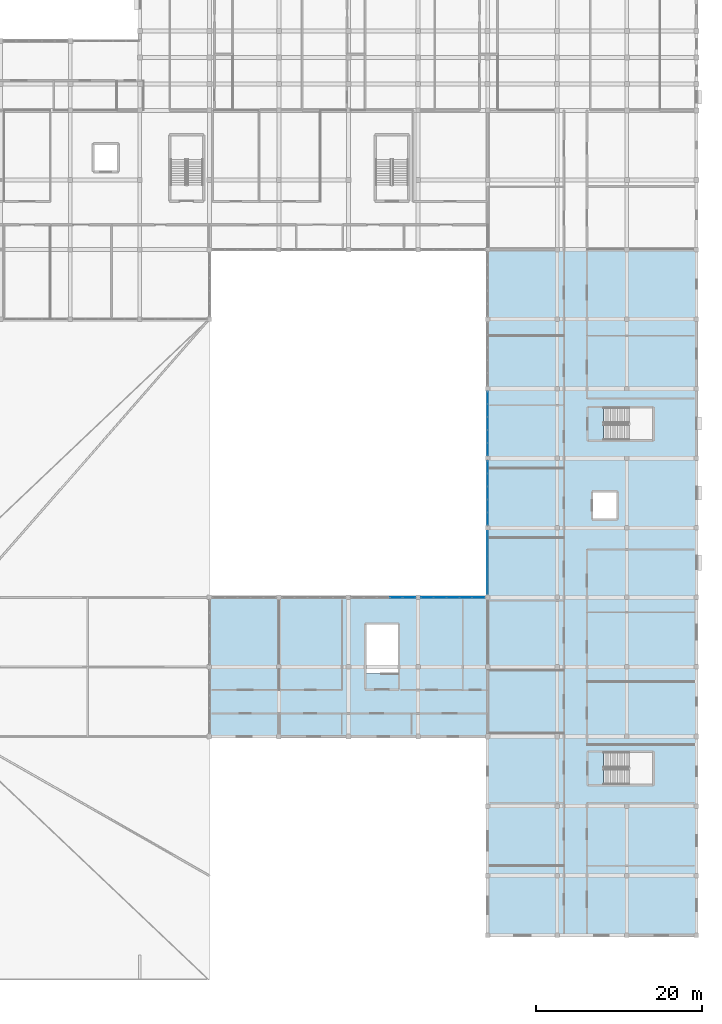
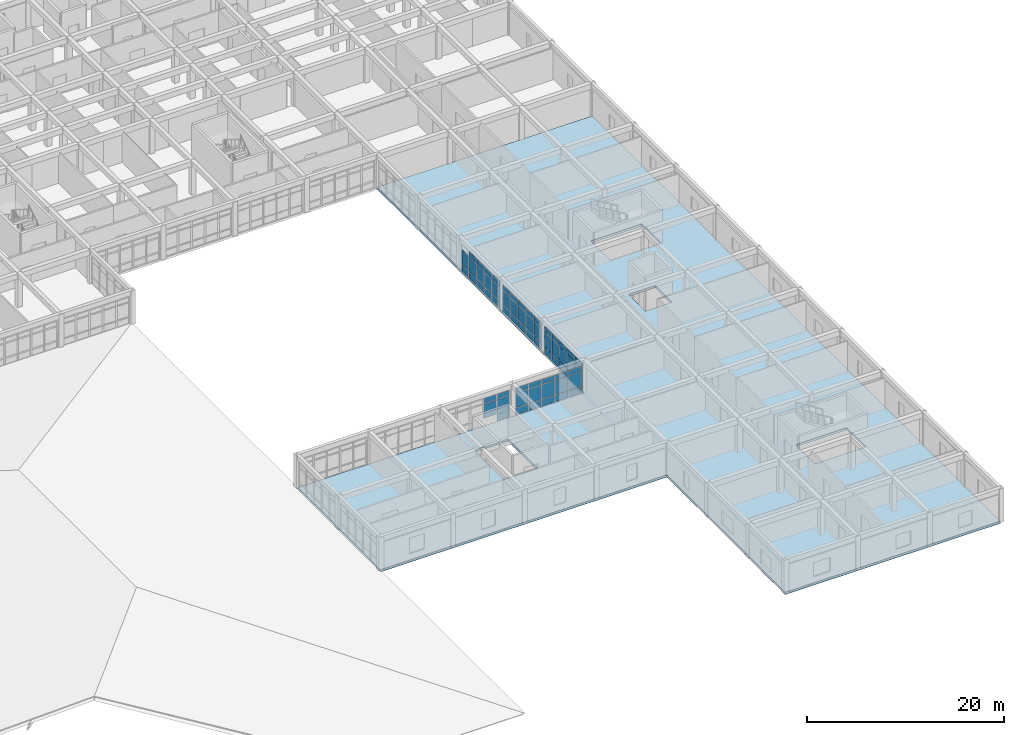
# One storey, part 40 of 77: 64 plates, 1 slab, 5 elements without a shape of their own.
"""IFC4 building model written with IfcOpenShell, lengths in metres."""

from ifc_helpers import new_model, si_unit, direction, frame, origin, origin_2d, place, context, subcontext, project, spatial, polyline, rectangle, outline, extrude, material, layer, layer_set, type_object, element, aggregate, save


model = new_model("IFC4")

# Units and contexts
model_context = context("Model", 3, precision=1e-05, world=origin(), true_north=direction((0.0, 1.0)))
body_context = subcontext(model_context, "Body", "Model", "MODEL_VIEW")
ifc_project = project(units=[si_unit("LENGTHUNIT", "METRE"), si_unit("AREAUNIT", "SQUARE_METRE"), si_unit("VOLUMEUNIT", "CUBIC_METRE"), si_unit("PLANEANGLEUNIT", "RADIAN"), si_unit("MASSUNIT", "GRAM", prefix="KILO")], contexts=[model_context])

# Site, building, storey
site_placement = place(None, origin())
site = spatial("IfcSite", under=ifc_project, at=site_placement, CompositionType="ELEMENT")
building_placement = place(site_placement, origin())
building = spatial("IfcBuilding", under=site, at=building_placement, Name="Varncliffe General Hospital", CompositionType="ELEMENT")
storey_placement = place(building_placement, frame((0.0, 0.0, 16.199951171875)))
storey = spatial("IfcBuildingStorey", under=building, at=storey_placement, Name="L03", CompositionType="ELEMENT", Elevation=16.199951171875)

# Curtain wall, plates
ifc_material_1 = material(Name="Triple low-E argon insulated vision glazing", Category="glass")
curtain_wall_type_1 = type_object("IfcCurtainWallType", Name="Unitised Glazed Curtain Wall CW23 (7774x3440)", PredefinedType="USERDEFINED", material=ifc_material_1)
curtain_wall_1_placement = place(storey_placement, origin())
curtain_wall_1 = element("IfcCurtainWall", 1, at=curtain_wall_1_placement, inside=storey, type_object=curtain_wall_type_1, Name="L03 Glazed Curtain Wall CW23-163", ObjectType="GLAZED CURTAIN WALL", PredefinedType="USERDEFINED")
ifc_layer_1 = layer(ifc_material_1, 0.035888671875)
ifc_layer_set_1 = layer_set([ifc_layer_1], Name="Triple low-E argon insulated vision glazing")
plate_type_1 = type_object("IfcPlateType", Name="Curtain Wall Glazing Panel CP27 (36mm)", PredefinedType="CURTAIN_PANEL", material=ifc_layer_set_1)
plate_1_placement = place(storey_placement, frame((143.9091796875, 40.800048828125, 0.06005859375), z_axis=(0.0, 0.0, 1.0), x_axis=(1.0, 0.0, 0.0)))
plate_1 = element("IfcPlate", 2, at=plate_1_placement, type_object=plate_type_1, Name="CW23 panel 1.1", PredefinedType="CURTAIN_PANEL", context=body_context, shape_type="SweptSolid", body=[
    extrude(rectangle(XDim=1.4423828125, YDim=0.035888671875, at=origin_2d()), origin(), (0.0, 0.0, 1.0), 0.81005859375),
])
plate_2_placement = place(storey_placement, frame((143.9091796875, 40.800048828125, 0.93017578125), z_axis=(0.0, 0.0, 1.0), x_axis=(1.0, 0.0, 0.0)))
plate_2 = element("IfcPlate", 3, at=plate_2_placement, type_object=plate_type_1, Name="CW23 panel 1.2", PredefinedType="CURTAIN_PANEL", context=body_context, shape_type="SweptSolid", body=[
    extrude(rectangle(XDim=1.4423828125, YDim=0.035888671875, at=origin_2d()), origin(), (0.0, 0.0, 1.0), 1.780029296875),
])
plate_3_placement = place(storey_placement, frame((143.9091796875, 40.800048828125, 2.77001953125), z_axis=(0.0, 0.0, 1.0), x_axis=(1.0, 0.0, 0.0)))
plate_3 = element("IfcPlate", 4, at=plate_3_placement, type_object=plate_type_1, Name="CW23 panel 1.3", PredefinedType="CURTAIN_PANEL", context=body_context, shape_type="SweptSolid", body=[
    extrude(rectangle(XDim=1.4423828125, YDim=0.035888671875, at=origin_2d()), origin(), (0.0, 0.0, 1.0), 0.610107421875),
])
plate_4_placement = place(storey_placement, frame((145.4453125, 40.800048828125, 0.06005859375), z_axis=(0.0, 0.0, 1.0), x_axis=(1.0, 0.0, 0.0)))
plate_4 = element("IfcPlate", 5, at=plate_4_placement, type_object=plate_type_1, Name="CW23 panel 2.1", PredefinedType="CURTAIN_PANEL", context=body_context, shape_type="SweptSolid", body=[
    extrude(rectangle(XDim=1.479736328125, YDim=0.035888671875, at=origin_2d()), origin(), (0.0, 0.0, 1.0), 0.81005859375),
])
plate_5_placement = place(storey_placement, frame((145.4453125, 40.800048828125, 0.93017578125), z_axis=(0.0, 0.0, 1.0), x_axis=(1.0, 0.0, 0.0)))
plate_5 = element("IfcPlate", 6, at=plate_5_placement, type_object=plate_type_1, Name="CW23 panel 2.2", PredefinedType="CURTAIN_PANEL", context=body_context, shape_type="SweptSolid", body=[
    extrude(rectangle(XDim=1.479736328125, YDim=0.035888671875, at=origin_2d()), origin(), (0.0, 0.0, 1.0), 1.780029296875),
])
plate_6_placement = place(storey_placement, frame((145.4453125, 40.800048828125, 2.77001953125), z_axis=(0.0, 0.0, 1.0), x_axis=(1.0, 0.0, 0.0)))
plate_6 = element("IfcPlate", 7, at=plate_6_placement, type_object=plate_type_1, Name="CW23 panel 2.3", PredefinedType="CURTAIN_PANEL", context=body_context, shape_type="SweptSolid", body=[
    extrude(rectangle(XDim=1.479736328125, YDim=0.035888671875, at=origin_2d()), origin(), (0.0, 0.0, 1.0), 0.610107421875),
])
plate_7_placement = place(storey_placement, frame((147.0, 40.800048828125, 0.06005859375), z_axis=(0.0, 0.0, 1.0), x_axis=(1.0, 0.0, 0.0)))
plate_7 = element("IfcPlate", 8, at=plate_7_placement, type_object=plate_type_1, Name="CW23 panel 3.1", PredefinedType="CURTAIN_PANEL", context=body_context, shape_type="SweptSolid", body=[
    extrude(rectangle(XDim=1.479736328125, YDim=0.035888671875, at=origin_2d()), origin(), (0.0, 0.0, 1.0), 0.81005859375),
])
plate_8_placement = place(storey_placement, frame((147.0, 40.800048828125, 0.93017578125), z_axis=(0.0, 0.0, 1.0), x_axis=(1.0, 0.0, 0.0)))
plate_8 = element("IfcPlate", 9, at=plate_8_placement, type_object=plate_type_1, Name="CW23 panel 3.2", PredefinedType="CURTAIN_PANEL", context=body_context, shape_type="SweptSolid", body=[
    extrude(rectangle(XDim=1.479736328125, YDim=0.035888671875, at=origin_2d()), origin(), (0.0, 0.0, 1.0), 1.780029296875),
])
plate_9_placement = place(storey_placement, frame((147.0, 40.800048828125, 2.77001953125), z_axis=(0.0, 0.0, 1.0), x_axis=(1.0, 0.0, 0.0)))
plate_9 = element("IfcPlate", 10, at=plate_9_placement, type_object=plate_type_1, Name="CW23 panel 3.3", PredefinedType="CURTAIN_PANEL", context=body_context, shape_type="SweptSolid", body=[
    extrude(rectangle(XDim=1.479736328125, YDim=0.035888671875, at=origin_2d()), origin(), (0.0, 0.0, 1.0), 0.610107421875),
])
plate_10_placement = place(storey_placement, frame((148.5546875, 40.800048828125, 0.06005859375), z_axis=(0.0, 0.0, 1.0), x_axis=(1.0, 0.0, 0.0)))
plate_10 = element("IfcPlate", 11, at=plate_10_placement, type_object=plate_type_1, Name="CW23 panel 4.1", PredefinedType="CURTAIN_PANEL", context=body_context, shape_type="SweptSolid", body=[
    extrude(rectangle(XDim=1.479736328125, YDim=0.035888671875, at=origin_2d()), origin(), (0.0, 0.0, 1.0), 0.81005859375),
])
plate_11_placement = place(storey_placement, frame((148.5546875, 40.800048828125, 0.93017578125), z_axis=(0.0, 0.0, 1.0), x_axis=(1.0, 0.0, 0.0)))
plate_11 = element("IfcPlate", 12, at=plate_11_placement, type_object=plate_type_1, Name="CW23 panel 4.2", PredefinedType="CURTAIN_PANEL", context=body_context, shape_type="SweptSolid", body=[
    extrude(rectangle(XDim=1.479736328125, YDim=0.035888671875, at=origin_2d()), origin(), (0.0, 0.0, 1.0), 1.780029296875),
])
plate_12_placement = place(storey_placement, frame((148.5546875, 40.800048828125, 2.77001953125), z_axis=(0.0, 0.0, 1.0), x_axis=(1.0, 0.0, 0.0)))
plate_12 = element("IfcPlate", 13, at=plate_12_placement, type_object=plate_type_1, Name="CW23 panel 4.3", PredefinedType="CURTAIN_PANEL", context=body_context, shape_type="SweptSolid", body=[
    extrude(rectangle(XDim=1.479736328125, YDim=0.035888671875, at=origin_2d()), origin(), (0.0, 0.0, 1.0), 0.610107421875),
])
plate_13_placement = place(storey_placement, frame((150.0908203125, 40.800048828125, 0.06005859375), z_axis=(0.0, 0.0, 1.0), x_axis=(1.0, 0.0, 0.0)))
plate_13 = element("IfcPlate", 14, at=plate_13_placement, type_object=plate_type_1, Name="CW23 panel 5.1", PredefinedType="CURTAIN_PANEL", context=body_context, shape_type="SweptSolid", body=[
    extrude(rectangle(XDim=1.4423828125, YDim=0.035888671875, at=origin_2d()), origin(), (0.0, 0.0, 1.0), 0.81005859375),
])
plate_14_placement = place(storey_placement, frame((150.0908203125, 40.800048828125, 0.93017578125), z_axis=(0.0, 0.0, 1.0), x_axis=(1.0, 0.0, 0.0)))
plate_14 = element("IfcPlate", 15, at=plate_14_placement, type_object=plate_type_1, Name="CW23 panel 5.2", PredefinedType="CURTAIN_PANEL", context=body_context, shape_type="SweptSolid", body=[
    extrude(rectangle(XDim=1.4423828125, YDim=0.035888671875, at=origin_2d()), origin(), (0.0, 0.0, 1.0), 1.780029296875),
])
plate_15_placement = place(storey_placement, frame((150.0908203125, 40.800048828125, 2.77001953125), z_axis=(0.0, 0.0, 1.0), x_axis=(1.0, 0.0, 0.0)))
plate_15 = element("IfcPlate", 16, at=plate_15_placement, type_object=plate_type_1, Name="CW23 panel 5.3", PredefinedType="CURTAIN_PANEL", context=body_context, shape_type="SweptSolid", body=[
    extrude(rectangle(XDim=1.4423828125, YDim=0.035888671875, at=origin_2d()), origin(), (0.0, 0.0, 1.0), 0.610107421875),
])
aggregate(curtain_wall_1, [plate_1, plate_2, plate_3, plate_4, plate_5, plate_6, plate_7, plate_8, plate_9, plate_10, plate_11, plate_12, plate_13, plate_14, plate_15])

curtain_wall_2_placement = place(storey_placement, origin())
curtain_wall_2 = element("IfcCurtainWall", 17, at=curtain_wall_2_placement, inside=storey, type_object=curtain_wall_type_1, Name="L03 Glazed Curtain Wall CW23-166", ObjectType="GLAZED CURTAIN WALL", PredefinedType="USERDEFINED")
plate_16_placement = place(storey_placement, frame((151.199951171875, 58.709228515625, 0.06005859375), z_axis=(0.0, 0.0, 1.0), x_axis=(0.0, 1.0, 0.0)))
plate_16 = element("IfcPlate", 18, at=plate_16_placement, type_object=plate_type_1, Name="CW23 panel 1.1", PredefinedType="CURTAIN_PANEL", context=body_context, shape_type="SweptSolid", body=[
    extrude(rectangle(XDim=1.4423828125, YDim=0.035888671875, at=origin_2d()), origin(), (0.0, 0.0, 1.0), 0.81005859375),
])
plate_17_placement = place(storey_placement, frame((151.199951171875, 58.709228515625, 0.93017578125), z_axis=(0.0, 0.0, 1.0), x_axis=(0.0, 1.0, 0.0)))
plate_17 = element("IfcPlate", 19, at=plate_17_placement, type_object=plate_type_1, Name="CW23 panel 1.2", PredefinedType="CURTAIN_PANEL", context=body_context, shape_type="SweptSolid", body=[
    extrude(rectangle(XDim=1.4423828125, YDim=0.035888671875, at=origin_2d()), origin(), (0.0, 0.0, 1.0), 1.780029296875),
])
plate_18_placement = place(storey_placement, frame((151.199951171875, 58.709228515625, 2.77001953125), z_axis=(0.0, 0.0, 1.0), x_axis=(0.0, 1.0, 0.0)))
plate_18 = element("IfcPlate", 20, at=plate_18_placement, type_object=plate_type_1, Name="CW23 panel 1.3", PredefinedType="CURTAIN_PANEL", context=body_context, shape_type="SweptSolid", body=[
    extrude(rectangle(XDim=1.4423828125, YDim=0.035888671875, at=origin_2d()), origin(), (0.0, 0.0, 1.0), 0.610107421875),
])
plate_19_placement = place(storey_placement, frame((151.199951171875, 60.2451171875, 0.06005859375), z_axis=(0.0, 0.0, 1.0), x_axis=(0.0, 1.0, 0.0)))
plate_19 = element("IfcPlate", 21, at=plate_19_placement, type_object=plate_type_1, Name="CW23 panel 2.1", PredefinedType="CURTAIN_PANEL", context=body_context, shape_type="SweptSolid", body=[
    extrude(rectangle(XDim=1.479736328125, YDim=0.035888671875, at=origin_2d()), origin(), (0.0, 0.0, 1.0), 0.81005859375),
])
plate_20_placement = place(storey_placement, frame((151.199951171875, 60.2451171875, 0.93017578125), z_axis=(0.0, 0.0, 1.0), x_axis=(0.0, 1.0, 0.0)))
plate_20 = element("IfcPlate", 22, at=plate_20_placement, type_object=plate_type_1, Name="CW23 panel 2.2", PredefinedType="CURTAIN_PANEL", context=body_context, shape_type="SweptSolid", body=[
    extrude(rectangle(XDim=1.479736328125, YDim=0.035888671875, at=origin_2d()), origin(), (0.0, 0.0, 1.0), 1.780029296875),
])
plate_21_placement = place(storey_placement, frame((151.199951171875, 60.2451171875, 2.77001953125), z_axis=(0.0, 0.0, 1.0), x_axis=(0.0, 1.0, 0.0)))
plate_21 = element("IfcPlate", 23, at=plate_21_placement, type_object=plate_type_1, Name="CW23 panel 2.3", PredefinedType="CURTAIN_PANEL", context=body_context, shape_type="SweptSolid", body=[
    extrude(rectangle(XDim=1.479736328125, YDim=0.035888671875, at=origin_2d()), origin(), (0.0, 0.0, 1.0), 0.610107421875),
])
plate_22_placement = place(storey_placement, frame((151.199951171875, 61.800048828125, 0.06005859375), z_axis=(0.0, 0.0, 1.0), x_axis=(0.0, 1.0, 0.0)))
plate_22 = element("IfcPlate", 24, at=plate_22_placement, type_object=plate_type_1, Name="CW23 panel 3.1", PredefinedType="CURTAIN_PANEL", context=body_context, shape_type="SweptSolid", body=[
    extrude(rectangle(XDim=1.479736328125, YDim=0.035888671875, at=origin_2d()), origin(), (0.0, 0.0, 1.0), 0.81005859375),
])
plate_23_placement = place(storey_placement, frame((151.199951171875, 61.800048828125, 0.93017578125), z_axis=(0.0, 0.0, 1.0), x_axis=(0.0, 1.0, 0.0)))
plate_23 = element("IfcPlate", 25, at=plate_23_placement, type_object=plate_type_1, Name="CW23 panel 3.2", PredefinedType="CURTAIN_PANEL", context=body_context, shape_type="SweptSolid", body=[
    extrude(rectangle(XDim=1.479736328125, YDim=0.035888671875, at=origin_2d()), origin(), (0.0, 0.0, 1.0), 1.780029296875),
])
plate_24_placement = place(storey_placement, frame((151.199951171875, 61.800048828125, 2.77001953125), z_axis=(0.0, 0.0, 1.0), x_axis=(0.0, 1.0, 0.0)))
plate_24 = element("IfcPlate", 26, at=plate_24_placement, type_object=plate_type_1, Name="CW23 panel 3.3", PredefinedType="CURTAIN_PANEL", context=body_context, shape_type="SweptSolid", body=[
    extrude(rectangle(XDim=1.479736328125, YDim=0.035888671875, at=origin_2d()), origin(), (0.0, 0.0, 1.0), 0.610107421875),
])
plate_25_placement = place(storey_placement, frame((151.199951171875, 63.354736328125, 0.06005859375), z_axis=(0.0, 0.0, 1.0), x_axis=(0.0, 1.0, 0.0)))
plate_25 = element("IfcPlate", 27, at=plate_25_placement, type_object=plate_type_1, Name="CW23 panel 4.1", PredefinedType="CURTAIN_PANEL", context=body_context, shape_type="SweptSolid", body=[
    extrude(rectangle(XDim=1.479736328125, YDim=0.035888671875, at=origin_2d()), origin(), (0.0, 0.0, 1.0), 0.81005859375),
])
plate_26_placement = place(storey_placement, frame((151.199951171875, 63.354736328125, 0.93017578125), z_axis=(0.0, 0.0, 1.0), x_axis=(0.0, 1.0, 0.0)))
plate_26 = element("IfcPlate", 28, at=plate_26_placement, type_object=plate_type_1, Name="CW23 panel 4.2", PredefinedType="CURTAIN_PANEL", context=body_context, shape_type="SweptSolid", body=[
    extrude(rectangle(XDim=1.479736328125, YDim=0.035888671875, at=origin_2d()), origin(), (0.0, 0.0, 1.0), 1.780029296875),
])
plate_27_placement = place(storey_placement, frame((151.199951171875, 63.354736328125, 2.77001953125), z_axis=(0.0, 0.0, 1.0), x_axis=(0.0, 1.0, 0.0)))
plate_27 = element("IfcPlate", 29, at=plate_27_placement, type_object=plate_type_1, Name="CW23 panel 4.3", PredefinedType="CURTAIN_PANEL", context=body_context, shape_type="SweptSolid", body=[
    extrude(rectangle(XDim=1.479736328125, YDim=0.035888671875, at=origin_2d()), origin(), (0.0, 0.0, 1.0), 0.610107421875),
])
plate_28_placement = place(storey_placement, frame((151.199951171875, 64.890869140625, 0.06005859375), z_axis=(0.0, 0.0, 1.0), x_axis=(0.0, 1.0, 0.0)))
plate_28 = element("IfcPlate", 30, at=plate_28_placement, type_object=plate_type_1, Name="CW23 panel 5.1", PredefinedType="CURTAIN_PANEL", context=body_context, shape_type="SweptSolid", body=[
    extrude(rectangle(XDim=1.4423828125, YDim=0.035888671875, at=origin_2d()), origin(), (0.0, 0.0, 1.0), 0.81005859375),
])
plate_29_placement = place(storey_placement, frame((151.199951171875, 64.890869140625, 0.93017578125), z_axis=(0.0, 0.0, 1.0), x_axis=(0.0, 1.0, 0.0)))
plate_29 = element("IfcPlate", 31, at=plate_29_placement, type_object=plate_type_1, Name="CW23 panel 5.2", PredefinedType="CURTAIN_PANEL", context=body_context, shape_type="SweptSolid", body=[
    extrude(rectangle(XDim=1.4423828125, YDim=0.035888671875, at=origin_2d()), origin(), (0.0, 0.0, 1.0), 1.780029296875),
])
aggregate(curtain_wall_2, [plate_16, plate_17, plate_18, plate_19, plate_20, plate_21, plate_22, plate_23, plate_24, plate_25, plate_26, plate_27, plate_28, plate_29])

curtain_wall_type_2 = type_object("IfcCurtainWallType", Name="Unitised Glazed Curtain Wall CW37 (7694x3440)", PredefinedType="USERDEFINED", material=ifc_material_1)
curtain_wall_3_placement = place(storey_placement, origin())
curtain_wall_3 = element("IfcCurtainWall", 32, at=curtain_wall_3_placement, inside=storey, type_object=curtain_wall_type_2, Name="L03 Glazed Curtain Wall CW37-164", ObjectType="GLAZED CURTAIN WALL", PredefinedType="USERDEFINED")
ifc_material_2 = material(Name="Insulated ceramic-fritted spandrel glazing panel", Category="glass")
ifc_layer_2 = layer(ifc_material_2, 0.06396484375)
ifc_layer_set_2 = layer_set([ifc_layer_2], Name="Insulated ceramic-fritted spandrel glazing panel")
plate_type_2 = type_object("IfcPlateType", Name="Curtain Wall Glazing Panel CP41 (64mm)", PredefinedType="CURTAIN_PANEL", material=ifc_layer_set_2)
plate_30_placement = place(storey_placement, frame((151.199951171875, 41.938720703125, 0.06005859375), z_axis=(0.0, 0.0, 1.0), x_axis=(0.0, 1.0, 0.0)))
plate_30 = element("IfcPlate", 33, at=plate_30_placement, type_object=plate_type_2, Name="CW37 panel 1.1", PredefinedType="CURTAIN_PANEL", context=body_context, shape_type="SweptSolid", body=[
    extrude(rectangle(XDim=1.44140625, YDim=0.06396484375, at=origin_2d()), origin(), (0.0, 0.0, 1.0), 0.81005859375),
])
plate_31_placement = place(storey_placement, frame((151.199951171875, 41.938720703125, 0.93017578125), z_axis=(0.0, 0.0, 1.0), x_axis=(0.0, 1.0, 0.0)))
plate_31 = element("IfcPlate", 34, at=plate_31_placement, type_object=plate_type_2, Name="CW37 panel 1.2", PredefinedType="CURTAIN_PANEL", context=body_context, shape_type="SweptSolid", body=[
    extrude(rectangle(XDim=1.44140625, YDim=0.06396484375, at=origin_2d()), origin(), (0.0, 0.0, 1.0), 1.780029296875),
])
plate_32_placement = place(storey_placement, frame((151.199951171875, 41.938720703125, 2.77001953125), z_axis=(0.0, 0.0, 1.0), x_axis=(0.0, 1.0, 0.0)))
plate_32 = element("IfcPlate", 35, at=plate_32_placement, type_object=plate_type_2, Name="CW37 panel 1.3", PredefinedType="CURTAIN_PANEL", context=body_context, shape_type="SweptSolid", body=[
    extrude(rectangle(XDim=1.44140625, YDim=0.06396484375, at=origin_2d()), origin(), (0.0, 0.0, 1.0), 0.610107421875),
])
plate_33_placement = place(storey_placement, frame((151.199951171875, 43.461181640625, 0.06005859375), z_axis=(0.0, 0.0, 1.0), x_axis=(0.0, 1.0, 0.0)))
plate_33 = element("IfcPlate", 36, at=plate_33_placement, type_object=plate_type_2, Name="CW37 panel 2.1", PredefinedType="CURTAIN_PANEL", context=body_context, shape_type="SweptSolid", body=[
    extrude(rectangle(XDim=1.473876953125, YDim=0.06396484375, at=origin_2d()), origin(), (0.0, 0.0, 1.0), 0.81005859375),
])
plate_34_placement = place(storey_placement, frame((151.199951171875, 43.461181640625, 0.93017578125), z_axis=(0.0, 0.0, 1.0), x_axis=(0.0, 1.0, 0.0)))
plate_34 = element("IfcPlate", 37, at=plate_34_placement, type_object=plate_type_2, Name="CW37 panel 2.2", PredefinedType="CURTAIN_PANEL", context=body_context, shape_type="SweptSolid", body=[
    extrude(rectangle(XDim=1.473876953125, YDim=0.06396484375, at=origin_2d()), origin(), (0.0, 0.0, 1.0), 1.780029296875),
])
plate_35_placement = place(storey_placement, frame((151.199951171875, 43.461181640625, 2.77001953125), z_axis=(0.0, 0.0, 1.0), x_axis=(0.0, 1.0, 0.0)))
plate_35 = element("IfcPlate", 38, at=plate_35_placement, type_object=plate_type_2, Name="CW37 panel 2.3", PredefinedType="CURTAIN_PANEL", context=body_context, shape_type="SweptSolid", body=[
    extrude(rectangle(XDim=1.473876953125, YDim=0.06396484375, at=origin_2d()), origin(), (0.0, 0.0, 1.0), 0.610107421875),
])
plate_36_placement = place(storey_placement, frame((151.199951171875, 45.0, 0.06005859375), z_axis=(0.0, 0.0, 1.0), x_axis=(0.0, 1.0, 0.0)))
plate_36 = element("IfcPlate", 39, at=plate_36_placement, type_object=plate_type_2, Name="CW37 panel 3.1", PredefinedType="CURTAIN_PANEL", context=body_context, shape_type="SweptSolid", body=[
    extrude(rectangle(XDim=1.473876953125, YDim=0.06396484375, at=origin_2d()), origin(), (0.0, 0.0, 1.0), 0.81005859375),
])
plate_37_placement = place(storey_placement, frame((151.199951171875, 45.0, 0.93017578125), z_axis=(0.0, 0.0, 1.0), x_axis=(0.0, 1.0, 0.0)))
plate_37 = element("IfcPlate", 40, at=plate_37_placement, type_object=plate_type_2, Name="CW37 panel 3.2", PredefinedType="CURTAIN_PANEL", context=body_context, shape_type="SweptSolid", body=[
    extrude(rectangle(XDim=1.473876953125, YDim=0.06396484375, at=origin_2d()), origin(), (0.0, 0.0, 1.0), 1.780029296875),
])
plate_38_placement = place(storey_placement, frame((151.199951171875, 45.0, 2.77001953125), z_axis=(0.0, 0.0, 1.0), x_axis=(0.0, 1.0, 0.0)))
plate_38 = element("IfcPlate", 41, at=plate_38_placement, type_object=plate_type_2, Name="CW37 panel 3.3", PredefinedType="CURTAIN_PANEL", context=body_context, shape_type="SweptSolid", body=[
    extrude(rectangle(XDim=1.473876953125, YDim=0.06396484375, at=origin_2d()), origin(), (0.0, 0.0, 1.0), 0.610107421875),
])
plate_39_placement = place(storey_placement, frame((151.199951171875, 46.538818359375, 0.06005859375), z_axis=(0.0, 0.0, 1.0), x_axis=(0.0, 1.0, 0.0)))
plate_39 = element("IfcPlate", 42, at=plate_39_placement, type_object=plate_type_2, Name="CW37 panel 4.1", PredefinedType="CURTAIN_PANEL", context=body_context, shape_type="SweptSolid", body=[
    extrude(rectangle(XDim=1.473876953125, YDim=0.06396484375, at=origin_2d()), origin(), (0.0, 0.0, 1.0), 0.81005859375),
])
plate_40_placement = place(storey_placement, frame((151.199951171875, 46.538818359375, 0.93017578125), z_axis=(0.0, 0.0, 1.0), x_axis=(0.0, 1.0, 0.0)))
plate_40 = element("IfcPlate", 43, at=plate_40_placement, type_object=plate_type_2, Name="CW37 panel 4.2", PredefinedType="CURTAIN_PANEL", context=body_context, shape_type="SweptSolid", body=[
    extrude(rectangle(XDim=1.473876953125, YDim=0.06396484375, at=origin_2d()), origin(), (0.0, 0.0, 1.0), 1.780029296875),
])
plate_41_placement = place(storey_placement, frame((151.199951171875, 46.538818359375, 2.77001953125), z_axis=(0.0, 0.0, 1.0), x_axis=(0.0, 1.0, 0.0)))
plate_41 = element("IfcPlate", 44, at=plate_41_placement, type_object=plate_type_2, Name="CW37 panel 4.3", PredefinedType="CURTAIN_PANEL", context=body_context, shape_type="SweptSolid", body=[
    extrude(rectangle(XDim=1.473876953125, YDim=0.06396484375, at=origin_2d()), origin(), (0.0, 0.0, 1.0), 0.610107421875),
])
plate_42_placement = place(storey_placement, frame((151.199951171875, 48.061279296875, 0.06005859375), z_axis=(0.0, 0.0, 1.0), x_axis=(0.0, 1.0, 0.0)))
plate_42 = element("IfcPlate", 45, at=plate_42_placement, type_object=plate_type_2, Name="CW37 panel 5.1", PredefinedType="CURTAIN_PANEL", context=body_context, shape_type="SweptSolid", body=[
    extrude(rectangle(XDim=1.44140625, YDim=0.06396484375, at=origin_2d()), origin(), (0.0, 0.0, 1.0), 0.81005859375),
])
plate_43_placement = place(storey_placement, frame((151.199951171875, 48.061279296875, 0.93017578125), z_axis=(0.0, 0.0, 1.0), x_axis=(0.0, 1.0, 0.0)))
plate_43 = element("IfcPlate", 46, at=plate_43_placement, type_object=plate_type_2, Name="CW37 panel 5.2", PredefinedType="CURTAIN_PANEL", context=body_context, shape_type="SweptSolid", body=[
    extrude(rectangle(XDim=1.44140625, YDim=0.06396484375, at=origin_2d()), origin(), (0.0, 0.0, 1.0), 1.780029296875),
])
plate_44_placement = place(storey_placement, frame((151.199951171875, 48.061279296875, 2.77001953125), z_axis=(0.0, 0.0, 1.0), x_axis=(0.0, 1.0, 0.0)))
plate_44 = element("IfcPlate", 47, at=plate_44_placement, type_object=plate_type_2, Name="CW37 panel 5.3", PredefinedType="CURTAIN_PANEL", context=body_context, shape_type="SweptSolid", body=[
    extrude(rectangle(XDim=1.44140625, YDim=0.06396484375, at=origin_2d()), origin(), (0.0, 0.0, 1.0), 0.610107421875),
])
aggregate(curtain_wall_3, [plate_30, plate_31, plate_32, plate_33, plate_34, plate_35, plate_36, plate_37, plate_38, plate_39, plate_40, plate_41, plate_42, plate_43, plate_44])

curtain_wall_type_3 = type_object("IfcCurtainWallType", Name="Unitised Glazed Curtain Wall CW83 (7854x3440)", PredefinedType="USERDEFINED", material=ifc_material_1)
curtain_wall_4_placement = place(storey_placement, origin())
curtain_wall_4 = element("IfcCurtainWall", 48, at=curtain_wall_4_placement, inside=storey, type_object=curtain_wall_type_3, Name="L03 Glazed Curtain Wall CW83-162", ObjectType="GLAZED CURTAIN WALL", PredefinedType="USERDEFINED")
ifc_layer_3 = layer(ifc_material_1, 0.028076171875)
ifc_layer_set_3 = layer_set([ifc_layer_3], Name="Triple low-E argon insulated vision glazing")
plate_type_3 = type_object("IfcPlateType", Name="Curtain Wall Glazing Panel CP48 (28mm)", PredefinedType="CURTAIN_PANEL", material=ifc_layer_set_3)
plate_45_placement = place(storey_placement, frame((140.1708984375, 40.800048828125, 0.9326171875), z_axis=(0.0, 0.0, 1.0), x_axis=(1.0, 0.0, 0.0)))
plate_45 = element("IfcPlate", 49, at=plate_45_placement, type_object=plate_type_3, Name="CW83 panel 4.2", PredefinedType="CURTAIN_PANEL", context=body_context, shape_type="SweptSolid", body=[
    extrude(rectangle(XDim=1.495849609375, YDim=0.028076171875, at=origin_2d()), origin(), (0.0, 0.0, 1.0), 1.77490234375),
])
plate_46_placement = place(storey_placement, frame((140.1708984375, 40.800048828125, 2.7724609375), z_axis=(0.0, 0.0, 1.0), x_axis=(1.0, 0.0, 0.0)))
plate_46 = element("IfcPlate", 50, at=plate_46_placement, type_object=plate_type_3, Name="CW83 panel 4.3", PredefinedType="CURTAIN_PANEL", context=body_context, shape_type="SweptSolid", body=[
    extrude(rectangle(XDim=1.495849609375, YDim=0.028076171875, at=origin_2d()), origin(), (0.0, 0.0, 1.0), 0.6025390625),
])
plate_47_placement = place(storey_placement, frame((141.722900390625, 40.800048828125, 0.06494140625), z_axis=(0.0, 0.0, 1.0), x_axis=(1.0, 0.0, 0.0)))
plate_47 = element("IfcPlate", 51, at=plate_47_placement, type_object=plate_type_3, Name="CW83 panel 5.1", PredefinedType="CURTAIN_PANEL", context=body_context, shape_type="SweptSolid", body=[
    extrude(rectangle(XDim=1.458251953125, YDim=0.028076171875, at=origin_2d()), origin(), (0.0, 0.0, 1.0), 0.802490234375),
])
plate_48_placement = place(storey_placement, frame((141.722900390625, 40.800048828125, 0.9326171875), z_axis=(0.0, 0.0, 1.0), x_axis=(1.0, 0.0, 0.0)))
plate_48 = element("IfcPlate", 52, at=plate_48_placement, type_object=plate_type_3, Name="CW83 panel 5.2", PredefinedType="CURTAIN_PANEL", context=body_context, shape_type="SweptSolid", body=[
    extrude(rectangle(XDim=1.458251953125, YDim=0.028076171875, at=origin_2d()), origin(), (0.0, 0.0, 1.0), 1.77490234375),
])
plate_49_placement = place(storey_placement, frame((141.722900390625, 40.800048828125, 2.7724609375), z_axis=(0.0, 0.0, 1.0), x_axis=(1.0, 0.0, 0.0)))
plate_49 = element("IfcPlate", 53, at=plate_49_placement, type_object=plate_type_3, Name="CW83 panel 5.3", PredefinedType="CURTAIN_PANEL", context=body_context, shape_type="SweptSolid", body=[
    extrude(rectangle(XDim=1.458251953125, YDim=0.028076171875, at=origin_2d()), origin(), (0.0, 0.0, 1.0), 0.6025390625),
])
aggregate(curtain_wall_4, [plate_45, plate_46, plate_47, plate_48, plate_49])

curtain_wall_5_placement = place(storey_placement, origin())
curtain_wall_5 = element("IfcCurtainWall", 54, at=curtain_wall_5_placement, inside=storey, type_object=curtain_wall_type_3, Name="L03 Glazed Curtain Wall CW83-165", ObjectType="GLAZED CURTAIN WALL", PredefinedType="USERDEFINED")
plate_50_placement = place(storey_placement, frame((151.199951171875, 50.277099609375, 0.06494140625), z_axis=(0.0, 0.0, 1.0), x_axis=(0.0, 1.0, 0.0)))
plate_50 = element("IfcPlate", 55, at=plate_50_placement, type_object=plate_type_3, Name="CW83 panel 1.1", PredefinedType="CURTAIN_PANEL", context=body_context, shape_type="SweptSolid", body=[
    extrude(rectangle(XDim=1.458251953125, YDim=0.028076171875, at=origin_2d()), origin(), (0.0, 0.0, 1.0), 0.802490234375),
])
plate_51_placement = place(storey_placement, frame((151.199951171875, 50.277099609375, 0.9326171875), z_axis=(0.0, 0.0, 1.0), x_axis=(0.0, 1.0, 0.0)))
plate_51 = element("IfcPlate", 56, at=plate_51_placement, type_object=plate_type_3, Name="CW83 panel 1.2", PredefinedType="CURTAIN_PANEL", context=body_context, shape_type="SweptSolid", body=[
    extrude(rectangle(XDim=1.458251953125, YDim=0.028076171875, at=origin_2d()), origin(), (0.0, 0.0, 1.0), 1.77490234375),
])
plate_52_placement = place(storey_placement, frame((151.199951171875, 50.277099609375, 2.7724609375), z_axis=(0.0, 0.0, 1.0), x_axis=(0.0, 1.0, 0.0)))
plate_52 = element("IfcPlate", 57, at=plate_52_placement, type_object=plate_type_3, Name="CW83 panel 1.3", PredefinedType="CURTAIN_PANEL", context=body_context, shape_type="SweptSolid", body=[
    extrude(rectangle(XDim=1.458251953125, YDim=0.028076171875, at=origin_2d()), origin(), (0.0, 0.0, 1.0), 0.6025390625),
])
plate_53_placement = place(storey_placement, frame((151.199951171875, 51.8291015625, 0.06494140625), z_axis=(0.0, 0.0, 1.0), x_axis=(0.0, 1.0, 0.0)))
plate_53 = element("IfcPlate", 58, at=plate_53_placement, type_object=plate_type_3, Name="CW83 panel 2.1", PredefinedType="CURTAIN_PANEL", context=body_context, shape_type="SweptSolid", body=[
    extrude(rectangle(XDim=1.495849609375, YDim=0.028076171875, at=origin_2d()), origin(), (0.0, 0.0, 1.0), 0.802490234375),
])
plate_54_placement = place(storey_placement, frame((151.199951171875, 51.8291015625, 0.9326171875), z_axis=(0.0, 0.0, 1.0), x_axis=(0.0, 1.0, 0.0)))
plate_54 = element("IfcPlate", 59, at=plate_54_placement, type_object=plate_type_3, Name="CW83 panel 2.2", PredefinedType="CURTAIN_PANEL", context=body_context, shape_type="SweptSolid", body=[
    extrude(rectangle(XDim=1.495849609375, YDim=0.028076171875, at=origin_2d()), origin(), (0.0, 0.0, 1.0), 1.77490234375),
])
plate_55_placement = place(storey_placement, frame((151.199951171875, 51.8291015625, 2.7724609375), z_axis=(0.0, 0.0, 1.0), x_axis=(0.0, 1.0, 0.0)))
plate_55 = element("IfcPlate", 60, at=plate_55_placement, type_object=plate_type_3, Name="CW83 panel 2.3", PredefinedType="CURTAIN_PANEL", context=body_context, shape_type="SweptSolid", body=[
    extrude(rectangle(XDim=1.495849609375, YDim=0.028076171875, at=origin_2d()), origin(), (0.0, 0.0, 1.0), 0.6025390625),
])
plate_56_placement = place(storey_placement, frame((151.199951171875, 53.39990234375, 0.06494140625), z_axis=(0.0, 0.0, 1.0), x_axis=(0.0, 1.0, 0.0)))
plate_56 = element("IfcPlate", 61, at=plate_56_placement, type_object=plate_type_3, Name="CW83 panel 3.1", PredefinedType="CURTAIN_PANEL", context=body_context, shape_type="SweptSolid", body=[
    extrude(rectangle(XDim=1.495849609375, YDim=0.028076171875, at=origin_2d()), origin(), (0.0, 0.0, 1.0), 0.802490234375),
])
plate_57_placement = place(storey_placement, frame((151.199951171875, 53.39990234375, 0.9326171875), z_axis=(0.0, 0.0, 1.0), x_axis=(0.0, 1.0, 0.0)))
plate_57 = element("IfcPlate", 62, at=plate_57_placement, type_object=plate_type_3, Name="CW83 panel 3.2", PredefinedType="CURTAIN_PANEL", context=body_context, shape_type="SweptSolid", body=[
    extrude(rectangle(XDim=1.495849609375, YDim=0.028076171875, at=origin_2d()), origin(), (0.0, 0.0, 1.0), 1.77490234375),
])
plate_58_placement = place(storey_placement, frame((151.199951171875, 53.39990234375, 2.7724609375), z_axis=(0.0, 0.0, 1.0), x_axis=(0.0, 1.0, 0.0)))
plate_58 = element("IfcPlate", 63, at=plate_58_placement, type_object=plate_type_3, Name="CW83 panel 3.3", PredefinedType="CURTAIN_PANEL", context=body_context, shape_type="SweptSolid", body=[
    extrude(rectangle(XDim=1.495849609375, YDim=0.028076171875, at=origin_2d()), origin(), (0.0, 0.0, 1.0), 0.6025390625),
])
plate_59_placement = place(storey_placement, frame((151.199951171875, 54.970703125, 0.06494140625), z_axis=(0.0, 0.0, 1.0), x_axis=(0.0, 1.0, 0.0)))
plate_59 = element("IfcPlate", 64, at=plate_59_placement, type_object=plate_type_3, Name="CW83 panel 4.1", PredefinedType="CURTAIN_PANEL", context=body_context, shape_type="SweptSolid", body=[
    extrude(rectangle(XDim=1.495849609375, YDim=0.028076171875, at=origin_2d()), origin(), (0.0, 0.0, 1.0), 0.802490234375),
])
plate_60_placement = place(storey_placement, frame((151.199951171875, 54.970703125, 0.9326171875), z_axis=(0.0, 0.0, 1.0), x_axis=(0.0, 1.0, 0.0)))
plate_60 = element("IfcPlate", 65, at=plate_60_placement, type_object=plate_type_3, Name="CW83 panel 4.2", PredefinedType="CURTAIN_PANEL", context=body_context, shape_type="SweptSolid", body=[
    extrude(rectangle(XDim=1.495849609375, YDim=0.028076171875, at=origin_2d()), origin(), (0.0, 0.0, 1.0), 1.77490234375),
])
plate_61_placement = place(storey_placement, frame((151.199951171875, 54.970703125, 2.7724609375), z_axis=(0.0, 0.0, 1.0), x_axis=(0.0, 1.0, 0.0)))
plate_61 = element("IfcPlate", 66, at=plate_61_placement, type_object=plate_type_3, Name="CW83 panel 4.3", PredefinedType="CURTAIN_PANEL", context=body_context, shape_type="SweptSolid", body=[
    extrude(rectangle(XDim=1.495849609375, YDim=0.028076171875, at=origin_2d()), origin(), (0.0, 0.0, 1.0), 0.6025390625),
])
plate_62_placement = place(storey_placement, frame((151.199951171875, 56.52294921875, 0.06494140625), z_axis=(0.0, 0.0, 1.0), x_axis=(0.0, 1.0, 0.0)))
plate_62 = element("IfcPlate", 67, at=plate_62_placement, type_object=plate_type_3, Name="CW83 panel 5.1", PredefinedType="CURTAIN_PANEL", context=body_context, shape_type="SweptSolid", body=[
    extrude(rectangle(XDim=1.458251953125, YDim=0.028076171875, at=origin_2d()), origin(), (0.0, 0.0, 1.0), 0.802490234375),
])
plate_63_placement = place(storey_placement, frame((151.199951171875, 56.52294921875, 0.9326171875), z_axis=(0.0, 0.0, 1.0), x_axis=(0.0, 1.0, 0.0)))
plate_63 = element("IfcPlate", 68, at=plate_63_placement, type_object=plate_type_3, Name="CW83 panel 5.2", PredefinedType="CURTAIN_PANEL", context=body_context, shape_type="SweptSolid", body=[
    extrude(rectangle(XDim=1.458251953125, YDim=0.028076171875, at=origin_2d()), origin(), (0.0, 0.0, 1.0), 1.77490234375),
])
plate_64_placement = place(storey_placement, frame((151.199951171875, 56.52294921875, 2.7724609375), z_axis=(0.0, 0.0, 1.0), x_axis=(0.0, 1.0, 0.0)))
plate_64 = element("IfcPlate", 69, at=plate_64_placement, type_object=plate_type_3, Name="CW83 panel 5.3", PredefinedType="CURTAIN_PANEL", context=body_context, shape_type="SweptSolid", body=[
    extrude(rectangle(XDim=1.458251953125, YDim=0.028076171875, at=origin_2d()), origin(), (0.0, 0.0, 1.0), 0.6025390625),
])
aggregate(curtain_wall_5, [plate_50, plate_51, plate_52, plate_53, plate_54, plate_55, plate_56, plate_57, plate_58, plate_59, plate_60, plate_61, plate_62, plate_63, plate_64])

# Slab
ifc_material_3 = material(Name="Concrete C35/45 (CSA A23.1 35 MPa)", Category="concrete")
ifc_layer_4 = layer(ifc_material_3, 0.2900390625)
ifc_layer_set_4 = layer_set([ifc_layer_4], Name="Concrete C35/45 (CSA A23.1 35 MPa)")
slab_type = type_object("IfcSlabType", Name="Floor Slab SL44 (Int 290mm)", PredefinedType="FLOOR", material=ifc_layer_set_4)
slab_placement = place(storey_placement, frame((0.0, 0.0, -0.2900390625)))
element("IfcSlab", 70, at=slab_placement, inside=storey, type_object=slab_type, Name="L03 V5 Structural Floor Slab 1", PredefinedType="FLOOR", context=body_context, shape_type="SweptSolid", body=[
    extrude(outline(polyline([(117.60009765625, 24.0), (117.60009765625, 40.800048828125), (151.199951171875, 40.800048828125), (151.199951171875, 82.800048828125), (176.39990234375, 82.800048828125), (176.39990234375, 0.0), (151.199951171875, 0.0), (151.199951171875, 24.0), (117.60009765625, 24.0)]), holes=[polyline([(165.199951171875, 59.800048828125), (171.14990234375, 59.800048828125), (171.14990234375, 63.699951171875), (165.199951171875, 63.699951171875), (165.199951171875, 59.800048828125)]), polyline([(165.199951171875, 18.199951171875), (171.14990234375, 18.199951171875), (171.14990234375, 22.10009765625), (165.199951171875, 22.10009765625), (165.199951171875, 18.199951171875)]), polyline([(140.39990234375, 31.60009765625), (140.39990234375, 37.550048828125), (136.5, 37.550048828125), (136.5, 31.60009765625), (140.39990234375, 31.60009765625)]), polyline([(163.800048828125, 50.199951171875), (166.89990234375, 50.199951171875), (166.89990234375, 53.60009765625), (163.800048828125, 53.60009765625), (163.800048828125, 50.199951171875)])]), origin(), (0.0, 0.0, 1.0), 0.2900390625),
])

save(model, "model.ifc")
